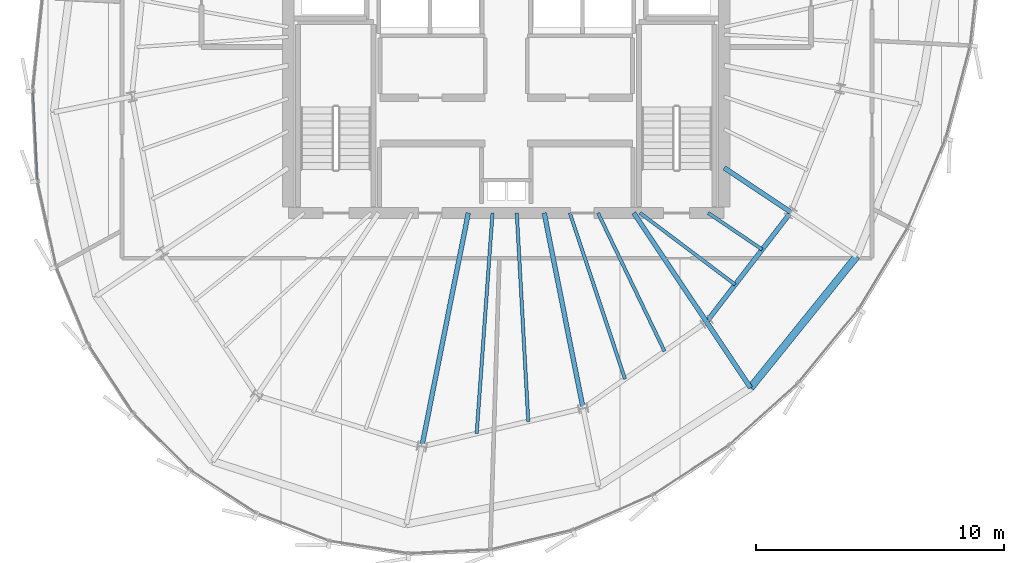
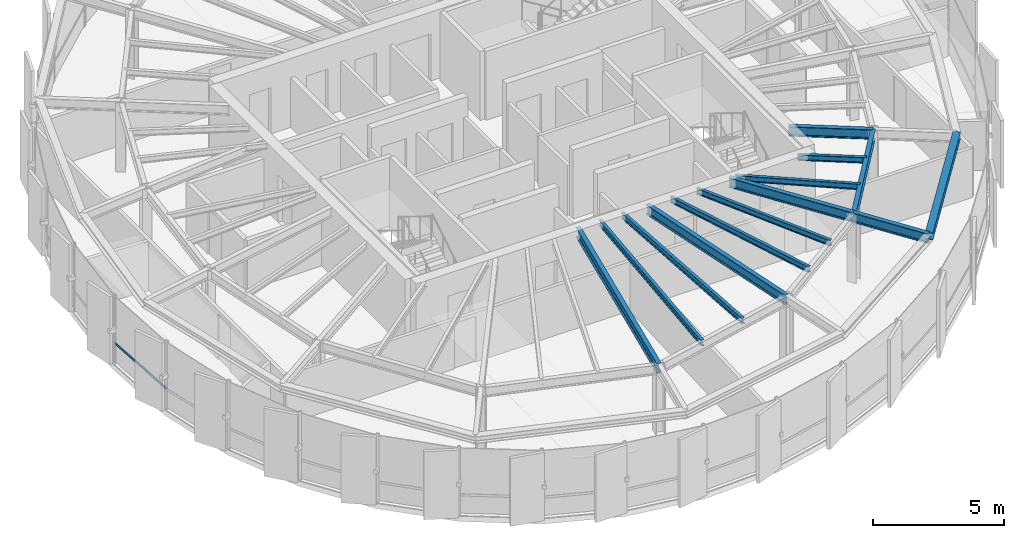
# One storey, part 8 of 31: 13 beams, 1 member, 1 element without a shape of its own.
"""IFC4 building model written with IfcOpenShell, lengths in metres."""

from ifc_helpers import new_model, si_unit, direction, frame, origin, origin_2d, place, context, subcontext, project, spatial, hollow_rectangle, i_section, extrude, source, transform, mapped, material, layer, layer_set, material_profile, profile_set, type_object, element, aggregate, save


model = new_model("IFC4")

# Units and contexts
model_context = context("Model", 3, precision=1e-05, world=origin(), true_north=direction((0.0, 1.0)))
body_context = subcontext(model_context, "Body", "Model", "MODEL_VIEW")
ifc_project = project(units=[si_unit("LENGTHUNIT", "METRE"), si_unit("AREAUNIT", "SQUARE_METRE"), si_unit("VOLUMEUNIT", "CUBIC_METRE"), si_unit("PLANEANGLEUNIT", "RADIAN"), si_unit("MASSUNIT", "GRAM", prefix="KILO"), si_unit("THERMODYNAMICTEMPERATUREUNIT", "KELVIN")], contexts=[model_context])

# Site, building, storey
site_placement = place(None, origin())
site = spatial("IfcSite", under=ifc_project, at=site_placement, CompositionType="ELEMENT")
building_placement = place(site_placement, origin())
building = spatial("IfcBuilding", under=site, at=building_placement, Name="Kethvar Cultural Tower", CompositionType="ELEMENT")
storey_placement = place(building_placement, frame((0.0, 0.0, 287.050048828125)))
storey = spatial("IfcBuildingStorey", under=building, at=storey_placement, Name="L76", CompositionType="ELEMENT", Elevation=287.050048828125)

# Beams
ifc_material_1 = material(Name="Steel S355J2", Category="steel")
ifc_material_profile_1 = material_profile(ifc_material_1, i_section(OverallWidth=0.18994140625, OverallDepth=0.449951171875, WebThickness=0.009521484375, FlangeThickness=0.0146484375, FilletRadius=0.02099609375, at=origin_2d()), Name="Steel S355J2 — IPE450")
ifc_profile_set_1 = profile_set([ifc_material_profile_1], Name="Steel S355J2 — IPE450")
beam_type_1 = type_object("IfcBeamType", Name="BM-IPE450", PredefinedType="BEAM", material=ifc_profile_set_1)
shared_shape_1 = source(origin(), body_context, "Body", "SweptSolid", [
    extrude(i_section(OverallWidth=0.18994140625, OverallDepth=0.449951171875, WebThickness=0.009521484375, FlangeThickness=0.0146484375, FilletRadius=0.02099609375, at=origin_2d()), origin(), (0.0, 0.0, 1.0), 3.199951171875),
])
beam_1_placement = place(storey_placement, frame((54.885009765625, 15.7001953125, 2.98291015625), z_axis=(0.555492222339, -0.83152173208, 0.0), x_axis=(0.83152173208, 0.555492222339, 0.0)))
element("IfcBeam", 1, at=beam_1_placement, inside=storey, type_object=beam_type_1, Name="L76 Perimeter Cantilever Beam RC-14", PredefinedType="BEAM", context=body_context, shape_type="MappedRepresentation", body=[
    mapped(shared_shape_1, transform((0.0, 0.0, 0.0), scale=1.0)),
])
shared_shape_2 = source(origin(), body_context, "Body", "SweptSolid", [
    extrude(i_section(OverallWidth=0.18994140625, OverallDepth=0.449951171875, WebThickness=0.009521484375, FlangeThickness=0.0146484375, FilletRadius=0.02099609375, at=origin_2d()), origin(), (0.0, 0.0, 1.0), 9.613525390625),
])
beam_2_placement = place(storey_placement, frame((45.268310546875, 20.10009765625, 2.98291015625), z_axis=(-0.195090428816, -0.980785259159, 0.0), x_axis=(0.980785259159, -0.195090428816, 0.0)))
element("IfcBeam", 2, at=beam_2_placement, inside=storey, type_object=beam_type_1, Name="L76 Primary Radial Beam RB-12", PredefinedType="BEAM", context=body_context, shape_type="MappedRepresentation", body=[
    mapped(shared_shape_2, transform((0.0, 0.0, 0.0), scale=1.0)),
])
shared_shape_3 = source(origin(), body_context, "Body", "SweptSolid", [
    extrude(i_section(OverallWidth=0.18994140625, OverallDepth=0.449951171875, WebThickness=0.009521484375, FlangeThickness=0.0146484375, FilletRadius=0.02099609375, at=origin_2d()), origin(), (0.0, 0.0, 1.0), 8.0478515625),
])
beam_3_placement = place(storey_placement, frame((48.33154296875, 20.10009765625, 2.98291015625), z_axis=(0.195089278796, -0.980785487912, 0.0), x_axis=(0.980785487912, 0.195089278796, 0.0)))
element("IfcBeam", 3, at=beam_3_placement, inside=storey, type_object=beam_type_1, Name="L76 Primary Radial Beam RB-13", PredefinedType="BEAM", context=body_context, shape_type="MappedRepresentation", body=[
    mapped(shared_shape_3, transform((0.0, 0.0, 0.0), scale=1.0)),
])
shared_shape_4 = source(origin(), body_context, "Body", "SweptSolid", [
    extrude(i_section(OverallWidth=0.18994140625, OverallDepth=0.449951171875, WebThickness=0.009521484375, FlangeThickness=0.0146484375, FilletRadius=0.02099609375, at=origin_2d()), origin(), (0.0, 0.0, 1.0), 5.291748046875),
])
beam_4_placement = place(storey_placement, frame((51.945068359375, 20.10009765625, 2.98291015625), z_axis=(0.555572931011, -0.831467809556, 0.0), x_axis=(0.831467809556, 0.555572931011, 0.0)))
element("IfcBeam", 4, at=beam_4_placement, inside=storey, type_object=beam_type_1, Name="L76 Primary Radial Beam RB-14", PredefinedType="BEAM", context=body_context, shape_type="MappedRepresentation", body=[
    mapped(shared_shape_4, transform((0.0, 0.0, 0.0), scale=1.0)),
])
shared_shape_5 = source(origin(), body_context, "Body", "SweptSolid", [
    extrude(i_section(OverallWidth=0.18994140625, OverallDepth=0.449951171875, WebThickness=0.009521484375, FlangeThickness=0.0146484375, FilletRadius=0.02099609375, at=origin_2d()), origin(), (0.0, 0.0, 1.0), 3.231689453125),
])
beam_5_placement = place(storey_placement, frame((55.60009765625, 21.919921875, 2.98291015625), z_axis=(0.831468708055, -0.55557158632, 0.0), x_axis=(0.55557158632, 0.831468708055, 0.0)))
element("IfcBeam", 5, at=beam_5_placement, inside=storey, type_object=beam_type_1, Name="L76 Primary Radial Beam RB-15", PredefinedType="BEAM", context=body_context, shape_type="MappedRepresentation", body=[
    mapped(shared_shape_5, transform((0.0, 0.0, 0.0), scale=1.0)),
])
ifc_material_profile_2 = material_profile(ifc_material_1, i_section(OverallWidth=0.135009765625, OverallDepth=0.27001953125, WebThickness=0.006591796875, FlangeThickness=0.01025390625, FilletRadius=0.014892578125, at=origin_2d()), Name="Steel S355J2 — IPE270")
ifc_profile_set_2 = profile_set([ifc_material_profile_2], Name="Steel S355J2 — IPE270")
beam_type_2 = type_object("IfcBeamType", Name="BM-J270", PredefinedType="JOIST", material=ifc_profile_set_2)
shared_shape_6 = source(origin(), body_context, "Body", "SweptSolid", [
    extrude(i_section(OverallWidth=0.135009765625, OverallDepth=0.27001953125, WebThickness=0.006591796875, FlangeThickness=0.01025390625, FilletRadius=0.014892578125, at=origin_2d()), origin(), (0.0, 0.0, 1.0), 8.9296875),
])
beam_6_placement = place(storey_placement, frame((46.246337890625, 20.10009765625, 3.072998046875), z_axis=(-0.071713352262, -0.99742528297, 0.0), x_axis=(0.99742528297, -0.071713352262, 0.0)))
element("IfcBeam", 6, at=beam_6_placement, inside=storey, type_object=beam_type_2, Name="L76 Composite Floor Joist J-12A", PredefinedType="JOIST", context=body_context, shape_type="MappedRepresentation", body=[
    mapped(shared_shape_6, transform((0.0, 0.0, 0.0), scale=1.0)),
])
shared_shape_7 = source(origin(), body_context, "Body", "SweptSolid", [
    extrude(i_section(OverallWidth=0.135009765625, OverallDepth=0.27001953125, WebThickness=0.006591796875, FlangeThickness=0.01025390625, FilletRadius=0.014892578125, at=origin_2d()), origin(), (0.0, 0.0, 1.0), 8.427978515625),
])
beam_7_placement = place(storey_placement, frame((47.224609375, 20.10009765625, 3.072998046875), z_axis=(0.055067321535, -0.998482643865, 0.0), x_axis=(0.998482643865, 0.055067321535, 0.0)))
element("IfcBeam", 7, at=beam_7_placement, inside=storey, type_object=beam_type_2, Name="L76 Composite Floor Joist J-12B", PredefinedType="JOIST", context=body_context, shape_type="MappedRepresentation", body=[
    mapped(shared_shape_7, transform((0.0, 0.0, 0.0), scale=1.0)),
])
shared_shape_8 = source(origin(), body_context, "Body", "SweptSolid", [
    extrude(i_section(OverallWidth=0.135009765625, OverallDepth=0.27001953125, WebThickness=0.006591796875, FlangeThickness=0.01025390625, FilletRadius=0.014892578125, at=origin_2d()), origin(), (0.0, 0.0, 1.0), 7.0673828125),
])
beam_8_placement = place(storey_placement, frame((49.363525390625, 20.10009765625, 3.072998046875), z_axis=(0.315875389768, -0.948800684095, 0.0), x_axis=(0.948800684095, 0.315875389768, 0.0)))
element("IfcBeam", 8, at=beam_8_placement, inside=storey, type_object=beam_type_2, Name="L76 Composite Floor Joist J-13A", PredefinedType="JOIST", context=body_context, shape_type="MappedRepresentation", body=[
    mapped(shared_shape_8, transform((0.0, 0.0, 0.0), scale=1.0)),
])
shared_shape_9 = source(origin(), body_context, "Body", "SweptSolid", [
    extrude(i_section(OverallWidth=0.135009765625, OverallDepth=0.27001953125, WebThickness=0.006591796875, FlangeThickness=0.01025390625, FilletRadius=0.014892578125, at=origin_2d()), origin(), (0.0, 0.0, 1.0), 6.2001953125),
])
beam_9_placement = place(storey_placement, frame((50.50341796875, 20.10009765625, 3.072998046875), z_axis=(0.433410678328, -0.901196529017, 0.0), x_axis=(0.901196529017, 0.433410678328, 0.0)))
element("IfcBeam", 9, at=beam_9_placement, inside=storey, type_object=beam_type_2, Name="L76 Composite Floor Joist J-13B", PredefinedType="JOIST", context=body_context, shape_type="MappedRepresentation", body=[
    mapped(shared_shape_9, transform((0.0, 0.0, 0.0), scale=1.0)),
])
shared_shape_10 = source(origin(), body_context, "Body", "SweptSolid", [
    extrude(i_section(OverallWidth=0.18994140625, OverallDepth=0.449951171875, WebThickness=0.009521484375, FlangeThickness=0.0146484375, FilletRadius=0.02099609375, at=origin_2d()), origin(), (0.0, 0.0, 1.0), 5.5810546875),
])
beam_10_placement = place(storey_placement, frame((54.885009765625, 15.7001953125, 2.98291015625), z_axis=(0.60957334008, 0.79272967843, 0.0), x_axis=(-0.79272967843, 0.60957334008, 0.0)))
element("IfcBeam", 10, at=beam_10_placement, inside=storey, type_object=beam_type_1, Name="L76 Column Ring Tie Beam CR-14", PredefinedType="BEAM", context=body_context, shape_type="MappedRepresentation", body=[
    mapped(shared_shape_10, transform((0.0, 0.0, 0.0), scale=1.0)),
])
ifc_material_profile_3 = material_profile(ifc_material_1, i_section(OverallWidth=0.300048828125, OverallDepth=0.320068359375, WebThickness=0.011474609375, FlangeThickness=0.0205078125, FilletRadius=0.027099609375, at=origin_2d()), Name="Steel S355J2 — HEB320")
ifc_profile_set_3 = profile_set([ifc_material_profile_3], Name="Steel S355J2 — HEB320")
beam_type_3 = type_object("IfcBeamType", Name="BM-SP320", PredefinedType="SPANDREL", material=ifc_profile_set_3)
shared_shape_11 = source(origin(), body_context, "Body", "SweptSolid", [
    extrude(i_section(OverallWidth=0.300048828125, OverallDepth=0.320068359375, WebThickness=0.011474609375, FlangeThickness=0.0205078125, FilletRadius=0.027099609375, at=origin_2d()), origin(), (0.0, 0.0, 1.0), 6.8212890625),
])
beam_11_placement = place(storey_placement, frame((56.66259765625, 13.039306640625, 3.0478515625), z_axis=(0.628197971595, 0.778053538315, 0.0), x_axis=(-0.778053538315, 0.628197971595, 0.0)))
element("IfcBeam", 11, at=beam_11_placement, inside=storey, type_object=beam_type_3, Name="L76 Perimeter Spandrel Beam SP-14", PredefinedType="SPANDREL", context=body_context, shape_type="MappedRepresentation", body=[
    mapped(shared_shape_11, transform((0.0, 0.0, 0.0), scale=1.0)),
])
shared_shape_12 = source(origin(), body_context, "Body", "SweptSolid", [
    extrude(i_section(OverallWidth=0.135009765625, OverallDepth=0.27001953125, WebThickness=0.006591796875, FlangeThickness=0.01025390625, FilletRadius=0.014892578125, at=origin_2d()), origin(), (0.0, 0.0, 1.0), 4.810791015625),
])
beam_12_placement = place(storey_placement, frame((52.199951171875, 20.10009765625, 3.072998046875), z_axis=(0.798542152732, -0.601938892505, 0.0), x_axis=(0.601938892505, 0.798542152732, 0.0)))
element("IfcBeam", 12, at=beam_12_placement, inside=storey, type_object=beam_type_2, Name="L76 Composite Floor Joist J-14A", PredefinedType="JOIST", context=body_context, shape_type="MappedRepresentation", body=[
    mapped(shared_shape_12, transform((0.0, 0.0, 0.0), scale=1.0)),
])
shared_shape_13 = source(origin(), body_context, "Body", "SweptSolid", [
    extrude(i_section(OverallWidth=0.135009765625, OverallDepth=0.27001953125, WebThickness=0.006591796875, FlangeThickness=0.01025390625, FilletRadius=0.014892578125, at=origin_2d()), origin(), (0.0, 0.0, 1.0), 2.635009765625),
])
beam_13_placement = place(storey_placement, frame((54.949951171875, 20.10009765625, 3.072998046875), z_axis=(0.827446562598, -0.561544464887, 0.0), x_axis=(0.561544464887, 0.827446562598, 0.0)))
element("IfcBeam", 13, at=beam_13_placement, inside=storey, type_object=beam_type_2, Name="L76 Composite Floor Joist J-14B", PredefinedType="JOIST", context=body_context, shape_type="MappedRepresentation", body=[
    mapped(shared_shape_13, transform((0.0, 0.0, 0.0), scale=1.0)),
])

# Curtain wall, member
ifc_material_2 = material(Name="Aluminium 6063-T6", Category="aluminium")
ifc_layer = layer(ifc_material_2, 0.179931640625, Name="Aluminium 6063-T6", Category="aluminium")
ifc_layer_set = layer_set([ifc_layer], Name="Aluminium 6063-T6 (180 mm)")
curtain_wall_type = type_object("IfcCurtainWallType", Name="CW-SYS-05-Z56", PredefinedType="NOTDEFINED", material=ifc_layer_set)
curtain_wall_placement = place(storey_placement, origin())
curtain_wall = element("IfcCurtainWall", 14, at=curtain_wall_placement, inside=storey, type_object=curtain_wall_type, Name="L76 Curtain Wall Run 03", PredefinedType="NOTDEFINED")
ifc_material_profile_4 = material_profile(ifc_material_2, hollow_rectangle(XDim=0.050048828125, YDim=0.10009765625, WallThickness=0.00390625, at=origin_2d()), Name="Aluminium 6063-T6 — RHS100x50x4")
ifc_profile_set_4 = profile_set([ifc_material_profile_4], Name="Aluminium 6063-T6 — RHS100x50x4")
member_type = type_object("IfcMemberType", Name="CW-SYS-05-Z56-TRN", PredefinedType="USERDEFINED", material=ifc_profile_set_4)
shared_shape_14 = source(origin(), body_context, "Body", "SweptSolid", [
    extrude(hollow_rectangle(XDim=0.050048828125, YDim=0.10009765625, WallThickness=0.00390625, at=origin_2d()), origin(), (0.0, 0.0, 1.0), 3.598388671875),
])
member_placement = place(storey_placement, frame((27.699951171875, 25.01318359375, 0.949951171875), z_axis=(0.04986655653, -0.998755889364, 0.0), x_axis=(0.998755889364, 0.04986655653, 0.0)))
member = element("IfcMember", 15, at=member_placement, type_object=member_type, Name="CW-L76-R03 Transom 1", ObjectType="TRANSOM", PredefinedType="USERDEFINED", context=body_context, shape_type="MappedRepresentation", body=[
    mapped(shared_shape_14, transform((0.0, 0.0, 0.0), scale=1.0)),
])
aggregate(curtain_wall, [member])

save(model, "model.ifc")
